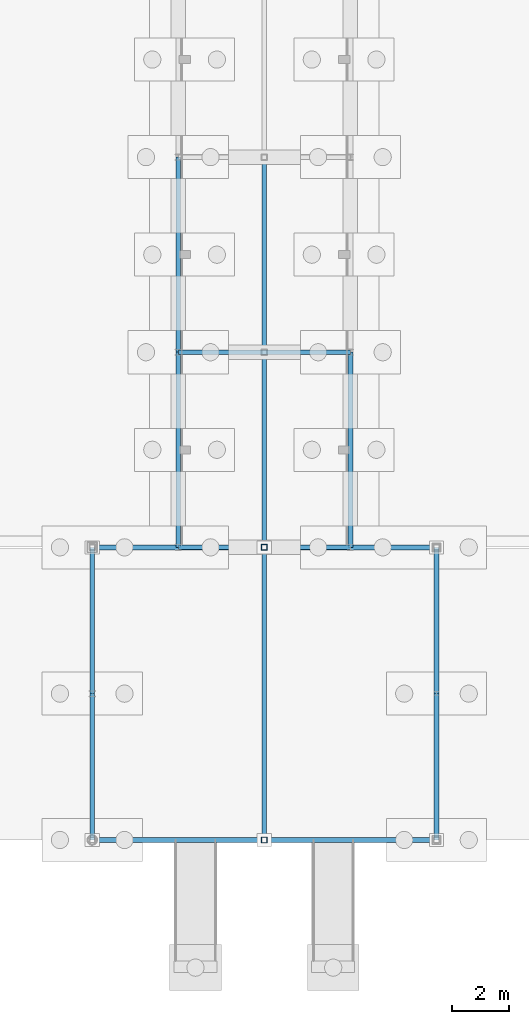
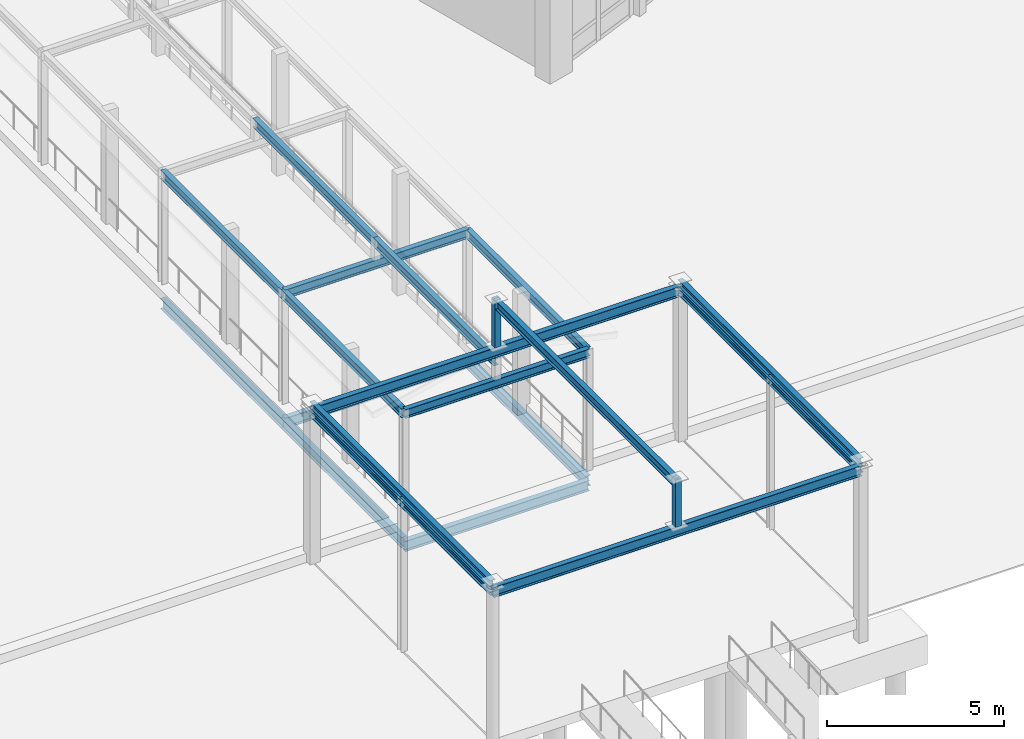
# One storey, part 32 of 137: 21 beams, 2 members.
"""IFC4 building model written with IfcOpenShell, lengths in metres."""

from ifc_helpers import new_model, si_unit, direction, frame, origin, origin_2d, place, context, subcontext, project, spatial, hollow_rectangle, i_section, extrude, material, material_profile, profile_set, type_object, element, save


model = new_model("IFC4")

# Units and contexts
model_context = context("Model", 3, precision=1e-05, world=origin(), true_north=direction((0.0, 1.0)))
body_context = subcontext(model_context, "Body", "Model", "MODEL_VIEW")
ifc_project = project(units=[si_unit("LENGTHUNIT", "METRE"), si_unit("AREAUNIT", "SQUARE_METRE"), si_unit("VOLUMEUNIT", "CUBIC_METRE"), si_unit("PLANEANGLEUNIT", "RADIAN"), si_unit("MASSUNIT", "GRAM", prefix="KILO")], contexts=[model_context])

# Site, building, storey
site_placement = place(None, origin())
site = spatial("IfcSite", under=ifc_project, at=site_placement, CompositionType="ELEMENT")
building_placement = place(site_placement, origin())
building = spatial("IfcBuilding", under=site, at=building_placement, Name="Vondelvale Polytechnic", CompositionType="ELEMENT")
storey_placement = place(building_placement, origin())
storey = spatial("IfcBuildingStorey", under=building, at=storey_placement, Name="L00", CompositionType="ELEMENT", Elevation=0.0)

# Beams
ifc_material_1 = material(Name="Steel 300PLUS (fy = 300 MPa)", Category="steel")
ifc_material_profile_1 = material_profile(ifc_material_1, i_section(OverallWidth=0.166015625, OverallDepth=0.306884765625, WebThickness=0.006591796875, FlangeThickness=0.01171875, FilletRadius=0.011474609375, at=origin_2d()), Name="310UB46.2")
ifc_profile_set_1 = profile_set([ifc_material_profile_1], Name="Steel 300PLUS (fy = 300 MPa)")
beam_type_1 = type_object("IfcBeamType", Name="BM-UB310H", PredefinedType="BEAM", material=ifc_profile_set_1)
for number, where, z_axis, x_axis, name in (
    (1, (99.0, 10.199951171875, 4.026611328125), (0.0, 1.0, 0.0), (-1.0, 0.0, 0.0), "L00 BC B-16"),
    (2, (105.0, 10.199951171875, 4.026611328125), (0.0, 1.0, 0.0), (-1.0, 0.0, 0.0), "L00 BC B-16"),
    (3, (99.0, 17.0, 4.026611328125), (0.0, 1.0, 0.0), (-1.0, 0.0, 0.0), "L00 BC B-16"),
):
    element("IfcBeam", number, at=place(storey_placement, frame(where, z_axis=z_axis, x_axis=x_axis)), inside=storey, type_object=beam_type_1, Name=name, PredefinedType="BEAM", context=body_context, shape_type="SweptSolid", body=[
        extrude(i_section(OverallWidth=0.166015625, OverallDepth=0.306884765625, WebThickness=0.006591796875, FlangeThickness=0.01171875, FilletRadius=0.011474609375, at=origin_2d()), origin(), (0.0, 0.0, 1.0), 6.800048828125),
    ])
for number, where, z_axis, x_axis, name in (
    (4, (99.0, 10.199951171875, 4.026611328125), (1.0, 0.0, 0.0), (0.0, 1.0, 0.0), "L00 BC B-16"),
    (5, (99.0, 17.0, 4.026611328125), (1.0, 0.0, 0.0), (0.0, 1.0, 0.0), "L00 BC B-16"),
):
    element("IfcBeam", number, at=place(storey_placement, frame(where, z_axis=z_axis, x_axis=x_axis)), inside=storey, type_object=beam_type_1, Name=name, PredefinedType="BEAM", context=body_context, shape_type="SweptSolid", body=[
        extrude(i_section(OverallWidth=0.166015625, OverallDepth=0.306884765625, WebThickness=0.006591796875, FlangeThickness=0.01171875, FilletRadius=0.011474609375, at=origin_2d()), origin(), (0.0, 0.0, 1.0), 6.0),
    ])
beam_1_placement = place(storey_placement, frame((96.0, 0.0, 5.146484375), z_axis=(0.0, 1.0, 0.0), x_axis=(-1.0, 0.0, 0.0)))
element("IfcBeam", 6, at=beam_1_placement, inside=storey, type_object=beam_type_1, Name="L00 EC B-16", PredefinedType="BEAM", context=body_context, shape_type="SweptSolid", body=[
    extrude(i_section(OverallWidth=0.166015625, OverallDepth=0.306884765625, WebThickness=0.006591796875, FlangeThickness=0.01171875, FilletRadius=0.011474609375, at=origin_2d()), origin(), (0.0, 0.0, 1.0), 5.10009765625),
])
beam_2_placement = place(storey_placement, frame((96.0, 5.10009765625, 5.146484375), z_axis=(0.0, 1.0, 0.0), x_axis=(-1.0, 0.0, 0.0)))
element("IfcBeam", 7, at=beam_2_placement, inside=storey, type_object=beam_type_1, Name="L00 EC B-16", PredefinedType="BEAM", context=body_context, shape_type="SweptSolid", body=[
    extrude(i_section(OverallWidth=0.166015625, OverallDepth=0.306884765625, WebThickness=0.006591796875, FlangeThickness=0.01171875, FilletRadius=0.011474609375, at=origin_2d()), origin(), (0.0, 0.0, 1.0), 5.099853515625),
])
beam_3_placement = place(storey_placement, frame((108.0, 0.0, 5.146484375), z_axis=(0.0, 1.0, 0.0), x_axis=(-1.0, 0.0, 0.0)))
element("IfcBeam", 8, at=beam_3_placement, inside=storey, type_object=beam_type_1, Name="L00 EC B-16", PredefinedType="BEAM", context=body_context, shape_type="SweptSolid", body=[
    extrude(i_section(OverallWidth=0.166015625, OverallDepth=0.306884765625, WebThickness=0.006591796875, FlangeThickness=0.01171875, FilletRadius=0.011474609375, at=origin_2d()), origin(), (0.0, 0.0, 1.0), 5.10009765625),
])
beam_4_placement = place(storey_placement, frame((108.0, 5.10009765625, 5.146484375), z_axis=(0.0, 1.0, 0.0), x_axis=(-1.0, 0.0, 0.0)))
element("IfcBeam", 9, at=beam_4_placement, inside=storey, type_object=beam_type_1, Name="L00 EC B-16", PredefinedType="BEAM", context=body_context, shape_type="SweptSolid", body=[
    extrude(i_section(OverallWidth=0.166015625, OverallDepth=0.306884765625, WebThickness=0.006591796875, FlangeThickness=0.01171875, FilletRadius=0.011474609375, at=origin_2d()), origin(), (0.0, 0.0, 1.0), 5.099853515625),
])
for number, where, z_axis, x_axis, name in (
    (10, (96.0, 0.0, 5.348388671875), (0.0, 1.0, 0.0), (-1.0, 0.0, 0.0), "L00 EC B-16"),
    (11, (108.0, 0.0, 5.348388671875), (0.0, 1.0, 0.0), (-1.0, 0.0, 0.0), "L00 EC B-16"),
    (12, (102.0, 0.0, 6.778564453125), (0.0, 1.0, 0.0), (-1.0, 0.0, 0.0), "L00 EC B-16"),
):
    element("IfcBeam", number, at=place(storey_placement, frame(where, z_axis=z_axis, x_axis=x_axis)), inside=storey, type_object=beam_type_1, Name=name, PredefinedType="BEAM", context=body_context, shape_type="SweptSolid", body=[
        extrude(i_section(OverallWidth=0.166015625, OverallDepth=0.306884765625, WebThickness=0.006591796875, FlangeThickness=0.01171875, FilletRadius=0.011474609375, at=origin_2d()), origin(), (0.0, 0.0, 1.0), 10.199951171875),
    ])
for number, where, z_axis, x_axis, name in (
    (13, (102.0, 10.199951171875, 4.7666015625), (0.0, 1.0, 0.0), (-1.0, 0.0, 0.0), "L00 BC B-16"),
    (14, (102.0, 17.0, 4.7666015625), (0.0, 1.0, 0.0), (-1.0, 0.0, 0.0), "L00 BC B-16"),
):
    element("IfcBeam", number, at=place(storey_placement, frame(where, z_axis=z_axis, x_axis=x_axis)), inside=storey, type_object=beam_type_1, Name=name, PredefinedType="BEAM", context=body_context, shape_type="SweptSolid", body=[
        extrude(i_section(OverallWidth=0.166015625, OverallDepth=0.306884765625, WebThickness=0.006591796875, FlangeThickness=0.01171875, FilletRadius=0.011474609375, at=origin_2d()), origin(), (0.0, 0.0, 1.0), 6.800048828125),
    ])
ifc_material_profile_2 = material_profile(ifc_material_1, i_section(OverallWidth=0.172119140625, OverallDepth=0.35888671875, WebThickness=0.008056640625, FlangeThickness=0.012939453125, FilletRadius=0.011474609375, at=origin_2d()), Name="360UB56.7")
ifc_profile_set_2 = profile_set([ifc_material_profile_2], Name="Steel 300PLUS (fy = 300 MPa)")
beam_type_2 = type_object("IfcBeamType", Name="BM-UB360H", PredefinedType="BEAM", material=ifc_profile_set_2)
for number, where, z_axis, x_axis, name in (
    (15, (99.0, 10.199951171875, -0.41943359375), (0.0, 1.0, 0.0), (-1.0, 0.0, 0.0), "L00 BB B-15"),
    (16, (105.0, 10.199951171875, -0.41943359375), (0.0, 1.0, 0.0), (-1.0, 0.0, 0.0), "L00 BB B-15"),
    (17, (99.0, 17.0, -0.41943359375), (0.0, 1.0, 0.0), (-1.0, 0.0, 0.0), "L00 BB B-15"),
):
    element("IfcBeam", number, at=place(storey_placement, frame(where, z_axis=z_axis, x_axis=x_axis)), inside=storey, type_object=beam_type_2, Name=name, PredefinedType="BEAM", context=body_context, shape_type="SweptSolid", body=[
        extrude(i_section(OverallWidth=0.172119140625, OverallDepth=0.35888671875, WebThickness=0.008056640625, FlangeThickness=0.012939453125, FilletRadius=0.011474609375, at=origin_2d()), origin(), (0.0, 0.0, 1.0), 6.800048828125),
    ])
for number, where, z_axis, x_axis, name in (
    (18, (99.0, 10.199951171875, -0.529541015625), (1.0, 0.0, 0.0), (0.0, 1.0, 0.0), "L00 BX B-15"),
    (19, (99.0, 17.0, -0.41943359375), (1.0, 0.0, 0.0), (0.0, 1.0, 0.0), "L00 BX B-15"),
):
    element("IfcBeam", number, at=place(storey_placement, frame(where, z_axis=z_axis, x_axis=x_axis)), inside=storey, type_object=beam_type_2, Name=name, PredefinedType="BEAM", context=body_context, shape_type="SweptSolid", body=[
        extrude(i_section(OverallWidth=0.172119140625, OverallDepth=0.35888671875, WebThickness=0.008056640625, FlangeThickness=0.012939453125, FilletRadius=0.011474609375, at=origin_2d()), origin(), (0.0, 0.0, 1.0), 6.0),
    ])
for number, where, z_axis, x_axis, name in (
    (20, (96.0, 0.0, 5.12060546875), (1.0, 0.0, 0.0), (0.0, 1.0, 0.0), "L00 EC B-15"),
    (21, (96.0, 10.199951171875, 5.12060546875), (1.0, 0.0, 0.0), (0.0, 1.0, 0.0), "L00 EC B-15"),
):
    element("IfcBeam", number, at=place(storey_placement, frame(where, z_axis=z_axis, x_axis=x_axis)), inside=storey, type_object=beam_type_2, Name=name, PredefinedType="BEAM", context=body_context, shape_type="SweptSolid", body=[
        extrude(i_section(OverallWidth=0.172119140625, OverallDepth=0.35888671875, WebThickness=0.008056640625, FlangeThickness=0.012939453125, FilletRadius=0.011474609375, at=origin_2d()), origin(), (0.0, 0.0, 1.0), 12.0),
    ])

# Members
ifc_material_2 = material(Name="Steel C350L0 (fy = 350 MPa)", Category="steel")
ifc_material_profile_3 = material_profile(ifc_material_2, hollow_rectangle(XDim=0.199951171875, YDim=0.199951171875, WallThickness=0.009033203125, at=origin_2d()), Name="200x200x9.0SHS")
ifc_profile_set_3 = profile_set([ifc_material_profile_3], Name="Steel C350L0 (fy = 350 MPa)")
member_type = type_object("IfcMemberType", Name="ROOF TRUSS POST 200SHS", PredefinedType="POST", material=ifc_profile_set_3)
for number, where, z_axis, x_axis, name in (
    (22, (102.0, 0.0, 5.300048828125), (0.0, 0.0, 1.0), (1.0, 0.0, 0.0), "Entrance canopy ridge post"),
    (23, (102.0, 10.199951171875, 5.300048828125), (0.0, 0.0, 1.0), (1.0, 0.0, 0.0), "Entrance canopy ridge post"),
):
    element("IfcMember", number, at=place(storey_placement, frame(where, z_axis=z_axis, x_axis=x_axis)), inside=storey, type_object=member_type, Name=name, PredefinedType="POST", context=body_context, shape_type="SweptSolid", body=[
        extrude(hollow_rectangle(XDim=0.199951171875, YDim=0.199951171875, WallThickness=0.009033203125, at=origin_2d()), origin(), (0.0, 0.0, 1.0), 1.6318359375),
    ])

save(model, "model.ifc")
